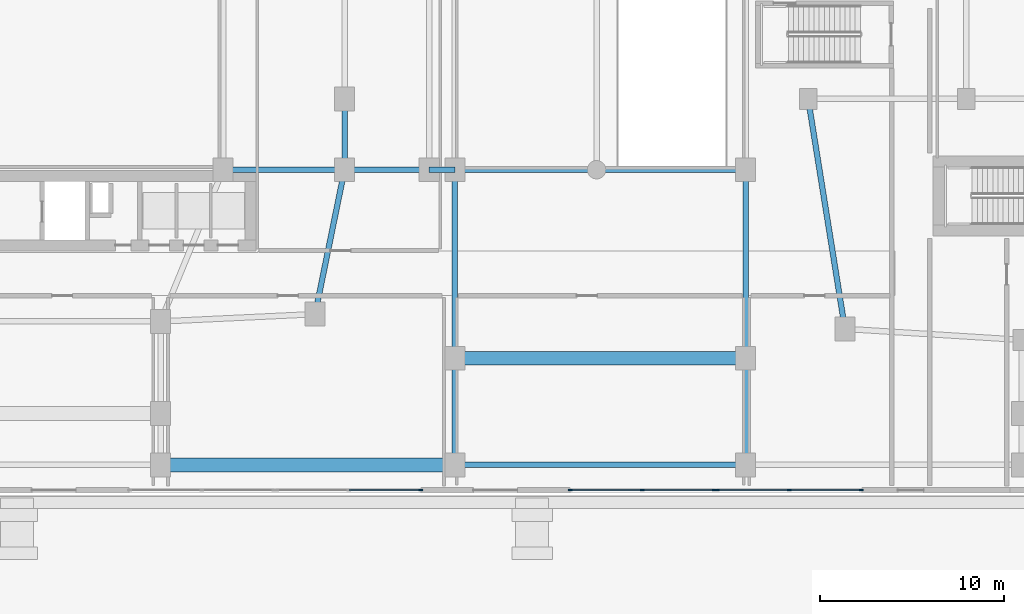
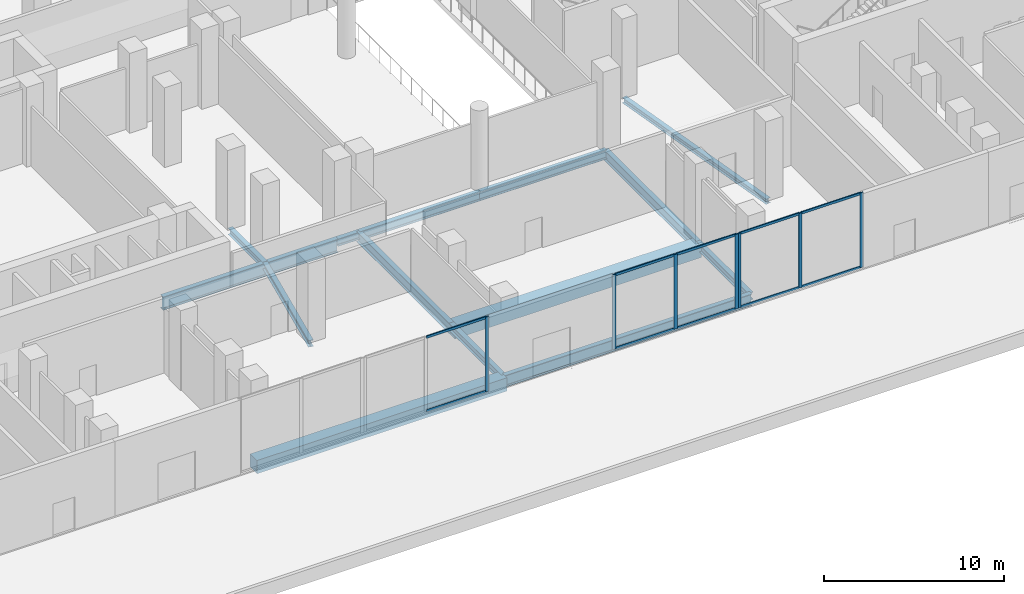
# One storey, part 3 of 24: 17 members, 15 beams, 3 elements without a shape of their own.
"""IFC4 building model written with IfcOpenShell, lengths in metres."""

from ifc_helpers import new_model, si_unit, derived_unit, direction, frame, origin, origin_2d, place, context, subcontext, project, spatial, rectangle, i_section, extrude, material, layer, layer_set, material_profile, profile_set, type_object, element, aggregate, save


model = new_model("IFC4")

# Units and contexts
model_context = context("Model", 3, precision=1e-05, world=origin(), true_north=direction((0.0, 1.0)))
body_context = subcontext(model_context, "Body", "Model", "MODEL_VIEW")
ifc_project = project(units=[si_unit("LENGTHUNIT", "METRE"), si_unit("AREAUNIT", "SQUARE_METRE"), si_unit("VOLUMEUNIT", "CUBIC_METRE"), si_unit("PLANEANGLEUNIT", "RADIAN"), si_unit("MASSUNIT", "GRAM", prefix="KILO"), derived_unit("THERMALTRANSMITTANCEUNIT", [(si_unit("POWERUNIT", "WATT"), 1), (si_unit("LENGTHUNIT", "METRE"), -2), (si_unit("THERMODYNAMICTEMPERATUREUNIT", "KELVIN"), -1)])], contexts=[model_context])

# Site, building, storey
site_placement = place(None, origin())
site = spatial("IfcSite", under=ifc_project, at=site_placement, CompositionType="ELEMENT")
building_placement = place(site_placement, origin())
building = spatial("IfcBuilding", under=site, at=building_placement, Name="Kivonza Crest Hotel", CompositionType="ELEMENT")
storey_placement = place(building_placement, origin())
storey = spatial("IfcBuildingStorey", under=building, at=storey_placement, Name="L00", CompositionType="ELEMENT", Elevation=0.0)

# Beams
ifc_material_1 = material(Name="Steel S355", Category="steel")
ifc_material_profile_1 = material_profile(ifc_material_1, i_section(OverallWidth=0.300048828125, OverallDepth=0.360107421875, WebThickness=0.012451171875, FlangeThickness=0.0224609375, FilletRadius=0.027099609375, at=origin_2d()), Name="HEB 360")
ifc_profile_set_1 = profile_set([ifc_material_profile_1], Name="Steel S355")
beam_type_1 = type_object("IfcBeamType", Name="BM-HEB360", PredefinedType="SPANDREL", material=ifc_profile_set_1)
beam_1_placement = place(storey_placement, frame((61.0, 21.5, -0.530029296875), z_axis=(0.157990501107, -0.987440631917, 0.0), x_axis=(0.987440631917, 0.157990501107, 0.0)))
element("IfcBeam", 1, at=beam_1_placement, inside=storey, type_object=beam_type_1, Name="Companion Tower T2 L00 perimeter spandrel W1-SW", PredefinedType="SPANDREL", context=body_context, shape_type="SweptSolid", body=[
    extrude(i_section(OverallWidth=0.300048828125, OverallDepth=0.360107421875, WebThickness=0.012451171875, FlangeThickness=0.0224609375, FilletRadius=0.027099609375, at=origin_2d()), origin(), (0.0, 0.0, 1.0), 12.658935546875),
])
ifc_material_profile_2 = material_profile(ifc_material_1, i_section(OverallWidth=0.300048828125, OverallDepth=0.449951171875, WebThickness=0.013916015625, FlangeThickness=0.02587890625, FilletRadius=0.027099609375, at=origin_2d()), Name="HEB 450")
ifc_profile_set_2 = profile_set([ifc_material_profile_2], Name="Steel S355")
beam_type_2 = type_object("IfcBeamType", Name="BM-HEB450", PredefinedType="SPANDREL", material=ifc_profile_set_2)
beam_2_placement = place(storey_placement, frame((34.199951171875, 9.800048828125, -0.574951171875), z_axis=(0.199730733965, 0.979850822273, 0.0), x_axis=(-0.979850822273, 0.199730733965, 0.0)))
element("IfcBeam", 2, at=beam_2_placement, inside=storey, type_object=beam_type_2, Name="Tower T1 L00 perimeter spandrel SE-PSE", PredefinedType="SPANDREL", context=body_context, shape_type="SweptSolid", body=[
    extrude(i_section(OverallWidth=0.300048828125, OverallDepth=0.449951171875, WebThickness=0.013916015625, FlangeThickness=0.02587890625, FilletRadius=0.027099609375, at=origin_2d()), origin(), (0.0, 0.0, 1.0), 8.01123046875),
])
beam_3_placement = place(storey_placement, frame((35.800048828125, 17.64990234375, -0.574951171875), z_axis=(0.0, 1.0, 0.0), x_axis=(-1.0, 0.0, 0.0)))
element("IfcBeam", 3, at=beam_3_placement, inside=storey, type_object=beam_type_2, Name="Tower T1 L00 perimeter spandrel PSE-E1", PredefinedType="SPANDREL", context=body_context, shape_type="SweptSolid", body=[
    extrude(i_section(OverallWidth=0.300048828125, OverallDepth=0.449951171875, WebThickness=0.013916015625, FlangeThickness=0.02587890625, FilletRadius=0.027099609375, at=origin_2d()), origin(), (0.0, 0.0, 1.0), 3.85009765625),
])
ifc_material_profile_3 = material_profile(ifc_material_1, i_section(OverallWidth=0.300048828125, OverallDepth=0.5, WebThickness=0.014404296875, FlangeThickness=0.028076171875, FilletRadius=0.027099609375, at=origin_2d()), Name="HEB 500")
ifc_profile_set_3 = profile_set([ifc_material_profile_3], Name="Steel S355")
beam_type_3 = type_object("IfcBeamType", Name="BM-HEB500", PredefinedType="BEAM", material=ifc_profile_set_3)
beam_4_placement = place(storey_placement, frame((40.39990234375, 17.64990234375, -0.60009765625), z_axis=(1.0, 0.0, 0.0), x_axis=(0.0, 1.0, 0.0)))
element("IfcBeam", 4, at=beam_4_placement, inside=storey, type_object=beam_type_3, Name="L00 podium girder X 17", PredefinedType="BEAM", context=body_context, shape_type="SweptSolid", body=[
    extrude(i_section(OverallWidth=0.300048828125, OverallDepth=0.5, WebThickness=0.014404296875, FlangeThickness=0.028076171875, FilletRadius=0.027099609375, at=origin_2d()), origin(), (0.0, 0.0, 1.0), 1.400146484375),
])
for number, where, z_axis, x_axis, name in (
    (5, (41.800048828125, 1.60009765625, -0.60009765625), (0.0, 1.0, 0.0), (-1.0, 0.0, 0.0), "L00 podium girder Y 70"),
    (6, (57.60009765625, 1.60009765625, -0.60009765625), (0.0, 1.0, 0.0), (-1.0, 0.0, 0.0), "L00 podium girder Y 76"),
):
    element("IfcBeam", number, at=place(storey_placement, frame(where, z_axis=z_axis, x_axis=x_axis)), inside=storey, type_object=beam_type_3, Name=name, PredefinedType="BEAM", context=body_context, shape_type="SweptSolid", body=[
        extrude(i_section(OverallWidth=0.300048828125, OverallDepth=0.5, WebThickness=0.014404296875, FlangeThickness=0.028076171875, FilletRadius=0.027099609375, at=origin_2d()), origin(), (0.0, 0.0, 1.0), 5.7998046875),
    ])
ifc_material_profile_4 = material_profile(ifc_material_1, i_section(OverallWidth=0.300048828125, OverallDepth=0.60009765625, WebThickness=0.015380859375, FlangeThickness=0.030029296875, FilletRadius=0.027099609375, at=origin_2d()), Name="HEB 600")
ifc_profile_set_4 = profile_set([ifc_material_profile_4], Name="Steel S355")
beam_type_4 = type_object("IfcBeamType", Name="BM-HEB600", PredefinedType="BEAM", material=ifc_profile_set_4)
beam_5_placement = place(storey_placement, frame((41.800048828125, 17.64990234375, -0.64990234375), z_axis=(1.0, 0.0, 0.0), x_axis=(0.0, 1.0, 0.0)))
element("IfcBeam", 7, at=beam_5_placement, inside=storey, type_object=beam_type_4, Name="L00 podium girder X 18", PredefinedType="BEAM", context=body_context, shape_type="SweptSolid", body=[
    extrude(i_section(OverallWidth=0.300048828125, OverallDepth=0.60009765625, WebThickness=0.015380859375, FlangeThickness=0.030029296875, FilletRadius=0.027099609375, at=origin_2d()), origin(), (0.0, 0.0, 1.0), 7.699951171875),
])
beam_6_placement = place(storey_placement, frame((49.5, 17.64990234375, -0.64990234375), z_axis=(1.0, 0.0, 0.0), x_axis=(0.0, 1.0, 0.0)))
element("IfcBeam", 8, at=beam_6_placement, inside=storey, type_object=beam_type_4, Name="L00 podium girder X 19", PredefinedType="BEAM", context=body_context, shape_type="SweptSolid", body=[
    extrude(i_section(OverallWidth=0.300048828125, OverallDepth=0.60009765625, WebThickness=0.015380859375, FlangeThickness=0.030029296875, FilletRadius=0.027099609375, at=origin_2d()), origin(), (0.0, 0.0, 1.0), 8.10009765625),
])
ifc_material_profile_5 = material_profile(ifc_material_1, i_section(OverallWidth=0.300048828125, OverallDepth=0.699951171875, WebThickness=0.01708984375, FlangeThickness=0.031982421875, FilletRadius=0.027099609375, at=origin_2d()), Name="HEB 700")
ifc_profile_set_5 = profile_set([ifc_material_profile_5], Name="Steel S355")
beam_type_5 = type_object("IfcBeamType", Name="BM-HEB700", PredefinedType="BEAM", material=ifc_profile_set_5)
for number, where, z_axis, x_axis, name in (
    (9, (41.800048828125, 7.39990234375, -0.699951171875), (0.0, 1.0, 0.0), (-1.0, 0.0, 0.0), "L00 podium girder Y 71"),
    (10, (57.60009765625, 7.39990234375, -0.699951171875), (0.0, 1.0, 0.0), (-1.0, 0.0, 0.0), "L00 podium girder Y 77"),
):
    element("IfcBeam", number, at=place(storey_placement, frame(where, z_axis=z_axis, x_axis=x_axis)), inside=storey, type_object=beam_type_5, Name=name, PredefinedType="BEAM", context=body_context, shape_type="SweptSolid", body=[
        extrude(i_section(OverallWidth=0.300048828125, OverallDepth=0.699951171875, WebThickness=0.01708984375, FlangeThickness=0.031982421875, FilletRadius=0.027099609375, at=origin_2d()), origin(), (0.0, 0.0, 1.0), 10.25),
    ])
ifc_material_profile_6 = material_profile(ifc_material_1, i_section(OverallWidth=0.300048828125, OverallDepth=0.800048828125, WebThickness=0.017578125, FlangeThickness=0.032958984375, FilletRadius=0.030029296875, at=origin_2d()), Name="HEB 800")
ifc_profile_set_6 = profile_set([ifc_material_profile_6], Name="Steel S355")
beam_type_6 = type_object("IfcBeamType", Name="BM-HEB800", PredefinedType="BEAM", material=ifc_profile_set_6)
beam_7_placement = place(storey_placement, frame((41.800048828125, 1.60009765625, -0.75), z_axis=(1.0, 0.0, 0.0), x_axis=(0.0, 1.0, 0.0)))
element("IfcBeam", 11, at=beam_7_placement, inside=storey, type_object=beam_type_6, Name="L00 podium girder X 4", PredefinedType="BEAM", context=body_context, shape_type="SweptSolid", body=[
    extrude(i_section(OverallWidth=0.300048828125, OverallDepth=0.800048828125, WebThickness=0.017578125, FlangeThickness=0.032958984375, FilletRadius=0.030029296875, at=origin_2d()), origin(), (0.0, 0.0, 1.0), 15.800048828125),
])
ifc_material_profile_7 = material_profile(ifc_material_1, i_section(OverallWidth=0.300048828125, OverallDepth=0.89990234375, WebThickness=0.0185546875, FlangeThickness=0.034912109375, FilletRadius=0.030029296875, at=origin_2d()), Name="HEB 900")
ifc_profile_set_7 = profile_set([ifc_material_profile_7], Name="Steel S355")
beam_type_7 = type_object("IfcBeamType", Name="BM-HEB900", PredefinedType="BEAM", material=ifc_profile_set_7)
beam_8_placement = place(storey_placement, frame((29.199951171875, 17.64990234375, -0.800048828125), z_axis=(1.0, 0.0, 0.0), x_axis=(0.0, 1.0, 0.0)))
element("IfcBeam", 12, at=beam_8_placement, inside=storey, type_object=beam_type_7, Name="Tower T1 L00 primary girder TSE-PSE", PredefinedType="BEAM", context=body_context, shape_type="SweptSolid", body=[
    extrude(i_section(OverallWidth=0.300048828125, OverallDepth=0.89990234375, WebThickness=0.0185546875, FlangeThickness=0.034912109375, FilletRadius=0.030029296875, at=origin_2d()), origin(), (0.0, 0.0, 1.0), 6.60009765625),
])
beam_9_placement = place(storey_placement, frame((40.39990234375, 17.64990234375, -0.800048828125), z_axis=(-1.0, 0.0, 0.0), x_axis=(0.0, -1.0, 0.0)))
element("IfcBeam", 13, at=beam_9_placement, inside=storey, type_object=beam_type_7, Name="Tower T1 L00 outer bay girder ZE1", PredefinedType="BEAM", context=body_context, shape_type="SweptSolid", body=[
    extrude(i_section(OverallWidth=0.300048828125, OverallDepth=0.89990234375, WebThickness=0.0185546875, FlangeThickness=0.034912109375, FilletRadius=0.030029296875, at=origin_2d()), origin(), (0.0, 0.0, 1.0), 4.599853515625),
])
ifc_material_2 = material(Name="Concrete C40/50", Category="concrete")
ifc_material_profile_8 = material_profile(ifc_material_2, rectangle(XDim=0.75, YDim=0.89990234375, at=origin_2d()), Name="RC 900x750")
ifc_profile_set_8 = profile_set([ifc_material_profile_8], Name="Concrete C40/50")
beam_type_8 = type_object("IfcBeamType", Name="BM-RCT-900x750", PredefinedType="T_BEAM", material=ifc_profile_set_8)
beam_10_placement = place(storey_placement, frame((25.800048828125, 1.60009765625, -0.800048828125), z_axis=(1.0, 0.0, 0.0), x_axis=(0.0, 1.0, 0.0)))
element("IfcBeam", 14, at=beam_10_placement, inside=storey, type_object=beam_type_8, Name="L00 reinforced concrete T-beam 3", PredefinedType="T_BEAM", context=body_context, shape_type="SweptSolid", body=[
    extrude(rectangle(XDim=0.75, YDim=0.89990234375, at=origin_2d()), origin(), (0.0, 0.0, 1.0), 16.0),
])
beam_11_placement = place(storey_placement, frame((41.800048828125, 7.39990234375, -0.800048828125), z_axis=(1.0, 0.0, 0.0), x_axis=(0.0, 1.0, 0.0)))
element("IfcBeam", 15, at=beam_11_placement, inside=storey, type_object=beam_type_8, Name="L00 reinforced concrete T-beam 12", PredefinedType="T_BEAM", context=body_context, shape_type="SweptSolid", body=[
    extrude(rectangle(XDim=0.75, YDim=0.89990234375, at=origin_2d()), origin(), (0.0, 0.0, 1.0), 15.800048828125),
])

# Curtain wall, member
ifc_material_3 = material(Name="Anodised bronze aluminium and low-E double glazing", Category="aluminium")
ifc_layer = layer(ifc_material_3, 0.219970703125)
ifc_layer_set = layer_set([ifc_layer], Name="Anodised bronze aluminium and low-E double glazing")
curtain_wall_type = type_object("IfcCurtainWallType", Name="CW-SYS-1", PredefinedType="NOTDEFINED", material=ifc_layer_set)
curtain_wall_1_placement = place(storey_placement, origin())
curtain_wall_1 = element("IfcCurtainWall", 16, at=curtain_wall_1_placement, inside=storey, type_object=curtain_wall_type, Name="L00 unitised curtain wall CW-POD-L00-05", PredefinedType="NOTDEFINED")
ifc_material_4 = material(Name="Anodised bronze aluminium", Category="aluminium")
ifc_material_profile_9 = material_profile(ifc_material_4, rectangle(XDim=0.074951171875, YDim=0.219970703125, at=origin_2d()), Name="CW-M 75x220")
ifc_profile_set_9 = profile_set([ifc_material_profile_9], Name="Anodised bronze aluminium")
member_type_1 = type_object("IfcMemberType", Name="CW-MUL-75x220", PredefinedType="MULLION", material=ifc_profile_set_9)
member_1_placement = place(storey_placement, frame((39.935546875, 0.239990234375, 0.0), z_axis=(0.0, 0.0, 1.0), x_axis=(0.0, 1.0, 0.0)))
member_1 = element("IfcMember", 17, at=member_1_placement, type_object=member_type_1, Name="CW-1 mullion 3", PredefinedType="MULLION", context=body_context, shape_type="SweptSolid", body=[
    extrude(rectangle(XDim=0.074951171875, YDim=0.219970703125, at=origin_2d()), origin(), (0.0, 0.0, 1.0), 5.050048828125),
])

# Curtain wall, members
curtain_wall_2_placement = place(storey_placement, origin())
curtain_wall_2 = element("IfcCurtainWall", 18, at=curtain_wall_2_placement, inside=storey, type_object=curtain_wall_type, Name="L00 unitised curtain wall CW-POD-L00-07", PredefinedType="NOTDEFINED")
member_2_placement = place(storey_placement, frame((48.077392578125, 0.239990234375, 0.0), z_axis=(0.0, 0.0, 1.0), x_axis=(0.0, 1.0, 0.0)))
member_2 = element("IfcMember", 19, at=member_2_placement, type_object=member_type_1, Name="CW-1 mullion 1", PredefinedType="MULLION", context=body_context, shape_type="SweptSolid", body=[
    extrude(rectangle(XDim=0.074951171875, YDim=0.219970703125, at=origin_2d()), origin(), (0.0, 0.0, 1.0), 5.050048828125),
])
member_3_placement = place(storey_placement, frame((51.993408203125, 0.239990234375, 0.0), z_axis=(0.0, 0.0, 1.0), x_axis=(0.0, 1.0, 0.0)))
member_3 = element("IfcMember", 20, at=member_3_placement, type_object=member_type_1, Name="CW-1 mullion 2", PredefinedType="MULLION", context=body_context, shape_type="SweptSolid", body=[
    extrude(rectangle(XDim=0.074951171875, YDim=0.219970703125, at=origin_2d()), origin(), (0.0, 0.0, 1.0), 5.050048828125),
])
member_4_placement = place(storey_placement, frame((55.909423828125, 0.239990234375, 0.0), z_axis=(0.0, 0.0, 1.0), x_axis=(0.0, 1.0, 0.0)))
member_4 = element("IfcMember", 21, at=member_4_placement, type_object=member_type_1, Name="CW-1 mullion 3", PredefinedType="MULLION", context=body_context, shape_type="SweptSolid", body=[
    extrude(rectangle(XDim=0.074951171875, YDim=0.219970703125, at=origin_2d()), origin(), (0.0, 0.0, 1.0), 5.050048828125),
])

curtain_wall_3_placement = place(storey_placement, origin())
curtain_wall_3 = element("IfcCurtainWall", 22, at=curtain_wall_3_placement, inside=storey, type_object=curtain_wall_type, Name="L00 unitised curtain wall CW-POD-L00-08", PredefinedType="NOTDEFINED")
member_5_placement = place(storey_placement, frame((56.064453125, 0.239990234375, 0.0), z_axis=(0.0, 0.0, 1.0), x_axis=(0.0, 1.0, 0.0)))
member_5 = element("IfcMember", 23, at=member_5_placement, type_object=member_type_1, Name="CW-1 mullion 1", PredefinedType="MULLION", context=body_context, shape_type="SweptSolid", body=[
    extrude(rectangle(XDim=0.074951171875, YDim=0.219970703125, at=origin_2d()), origin(), (0.0, 0.0, 1.0), 5.050048828125),
])
member_6_placement = place(storey_placement, frame((59.97998046875, 0.239990234375, 0.0), z_axis=(0.0, 0.0, 1.0), x_axis=(0.0, 1.0, 0.0)))
member_6 = element("IfcMember", 24, at=member_6_placement, type_object=member_type_1, Name="CW-1 mullion 2", PredefinedType="MULLION", context=body_context, shape_type="SweptSolid", body=[
    extrude(rectangle(XDim=0.074951171875, YDim=0.219970703125, at=origin_2d()), origin(), (0.0, 0.0, 1.0), 5.050048828125),
])
member_7_placement = place(storey_placement, frame((63.8955078125, 0.239990234375, 0.0), z_axis=(0.0, 0.0, 1.0), x_axis=(0.0, 1.0, 0.0)))
member_7 = element("IfcMember", 25, at=member_7_placement, type_object=member_type_1, Name="CW-1 mullion 3", PredefinedType="MULLION", context=body_context, shape_type="SweptSolid", body=[
    extrude(rectangle(XDim=0.074951171875, YDim=0.219970703125, at=origin_2d()), origin(), (0.0, 0.0, 1.0), 5.050048828125),
])

# Member
ifc_material_profile_10 = material_profile(ifc_material_4, rectangle(XDim=0.074951171875, YDim=0.159912109375, at=origin_2d()), Name="CW-T 75x160")
ifc_profile_set_10 = profile_set([ifc_material_profile_10], Name="Anodised bronze aluminium")
member_type_2 = type_object("IfcMemberType", Name="CW-TRN-75x160", PredefinedType="USERDEFINED", material=ifc_profile_set_10)
member_8_placement = place(storey_placement, frame((36.0576171875, 0.239990234375, 0.03759765625), z_axis=(1.0, 0.0, 0.0), x_axis=(0.0, 1.0, 0.0)))
member_8 = element("IfcMember", 26, at=member_8_placement, type_object=member_type_2, Name="CW-1 transom 2.1", ObjectType="TRANSOM", PredefinedType="USERDEFINED", context=body_context, shape_type="SweptSolid", body=[
    extrude(rectangle(XDim=0.074951171875, YDim=0.159912109375, at=origin_2d()), origin(), (0.0, 0.0, 1.0), 3.84033203125),
])

member_9_placement = place(storey_placement, frame((36.0576171875, 0.239990234375, 5.012451171875), z_axis=(1.0, 0.0, 0.0), x_axis=(0.0, 1.0, 0.0)))
member_9 = element("IfcMember", 27, at=member_9_placement, type_object=member_type_2, Name="CW-1 transom 2.2", ObjectType="TRANSOM", PredefinedType="USERDEFINED", context=body_context, shape_type="SweptSolid", body=[
    extrude(rectangle(XDim=0.074951171875, YDim=0.159912109375, at=origin_2d()), origin(), (0.0, 0.0, 1.0), 3.84033203125),
])

aggregate(curtain_wall_1, [member_1, member_8, member_9])

member_10_placement = place(storey_placement, frame((48.114990234375, 0.239990234375, 0.03759765625), z_axis=(1.0, 0.0, 0.0), x_axis=(0.0, 1.0, 0.0)))
member_10 = element("IfcMember", 28, at=member_10_placement, type_object=member_type_2, Name="CW-1 transom 1.1", ObjectType="TRANSOM", PredefinedType="USERDEFINED", context=body_context, shape_type="SweptSolid", body=[
    extrude(rectangle(XDim=0.074951171875, YDim=0.159912109375, at=origin_2d()), origin(), (0.0, 0.0, 1.0), 3.841064453125),
])

member_11_placement = place(storey_placement, frame((48.114990234375, 0.239990234375, 5.012451171875), z_axis=(1.0, 0.0, 0.0), x_axis=(0.0, 1.0, 0.0)))
member_11 = element("IfcMember", 29, at=member_11_placement, type_object=member_type_2, Name="CW-1 transom 1.2", ObjectType="TRANSOM", PredefinedType="USERDEFINED", context=body_context, shape_type="SweptSolid", body=[
    extrude(rectangle(XDim=0.074951171875, YDim=0.159912109375, at=origin_2d()), origin(), (0.0, 0.0, 1.0), 3.841064453125),
])

member_12_placement = place(storey_placement, frame((52.031005859375, 0.239990234375, 0.03759765625), z_axis=(1.0, 0.0, 0.0), x_axis=(0.0, 1.0, 0.0)))
member_12 = element("IfcMember", 30, at=member_12_placement, type_object=member_type_2, Name="CW-1 transom 2.1", ObjectType="TRANSOM", PredefinedType="USERDEFINED", context=body_context, shape_type="SweptSolid", body=[
    extrude(rectangle(XDim=0.074951171875, YDim=0.159912109375, at=origin_2d()), origin(), (0.0, 0.0, 1.0), 3.841064453125),
])

member_13_placement = place(storey_placement, frame((52.031005859375, 0.239990234375, 5.012451171875), z_axis=(1.0, 0.0, 0.0), x_axis=(0.0, 1.0, 0.0)))
member_13 = element("IfcMember", 31, at=member_13_placement, type_object=member_type_2, Name="CW-1 transom 2.2", ObjectType="TRANSOM", PredefinedType="USERDEFINED", context=body_context, shape_type="SweptSolid", body=[
    extrude(rectangle(XDim=0.074951171875, YDim=0.159912109375, at=origin_2d()), origin(), (0.0, 0.0, 1.0), 3.841064453125),
])

aggregate(curtain_wall_2, [member_2, member_3, member_4, member_10, member_11, member_12, member_13])

member_14_placement = place(storey_placement, frame((56.10205078125, 0.239990234375, 0.03759765625), z_axis=(1.0, 0.0, 0.0), x_axis=(0.0, 1.0, 0.0)))
member_14 = element("IfcMember", 32, at=member_14_placement, type_object=member_type_2, Name="CW-1 transom 1.1", ObjectType="TRANSOM", PredefinedType="USERDEFINED", context=body_context, shape_type="SweptSolid", body=[
    extrude(rectangle(XDim=0.074951171875, YDim=0.159912109375, at=origin_2d()), origin(), (0.0, 0.0, 1.0), 3.84033203125),
])

member_15_placement = place(storey_placement, frame((56.10205078125, 0.239990234375, 5.012451171875), z_axis=(1.0, 0.0, 0.0), x_axis=(0.0, 1.0, 0.0)))
member_15 = element("IfcMember", 33, at=member_15_placement, type_object=member_type_2, Name="CW-1 transom 1.2", ObjectType="TRANSOM", PredefinedType="USERDEFINED", context=body_context, shape_type="SweptSolid", body=[
    extrude(rectangle(XDim=0.074951171875, YDim=0.159912109375, at=origin_2d()), origin(), (0.0, 0.0, 1.0), 3.84033203125),
])

member_16_placement = place(storey_placement, frame((60.017578125, 0.239990234375, 0.03759765625), z_axis=(1.0, 0.0, 0.0), x_axis=(0.0, 1.0, 0.0)))
member_16 = element("IfcMember", 34, at=member_16_placement, type_object=member_type_2, Name="CW-1 transom 2.1", ObjectType="TRANSOM", PredefinedType="USERDEFINED", context=body_context, shape_type="SweptSolid", body=[
    extrude(rectangle(XDim=0.074951171875, YDim=0.159912109375, at=origin_2d()), origin(), (0.0, 0.0, 1.0), 3.84033203125),
])

member_17_placement = place(storey_placement, frame((60.017578125, 0.239990234375, 5.012451171875), z_axis=(1.0, 0.0, 0.0), x_axis=(0.0, 1.0, 0.0)))
member_17 = element("IfcMember", 35, at=member_17_placement, type_object=member_type_2, Name="CW-1 transom 2.2", ObjectType="TRANSOM", PredefinedType="USERDEFINED", context=body_context, shape_type="SweptSolid", body=[
    extrude(rectangle(XDim=0.074951171875, YDim=0.159912109375, at=origin_2d()), origin(), (0.0, 0.0, 1.0), 3.84033203125),
])

aggregate(curtain_wall_3, [member_5, member_6, member_7, member_14, member_15, member_16, member_17])

save(model, "model.ifc")
